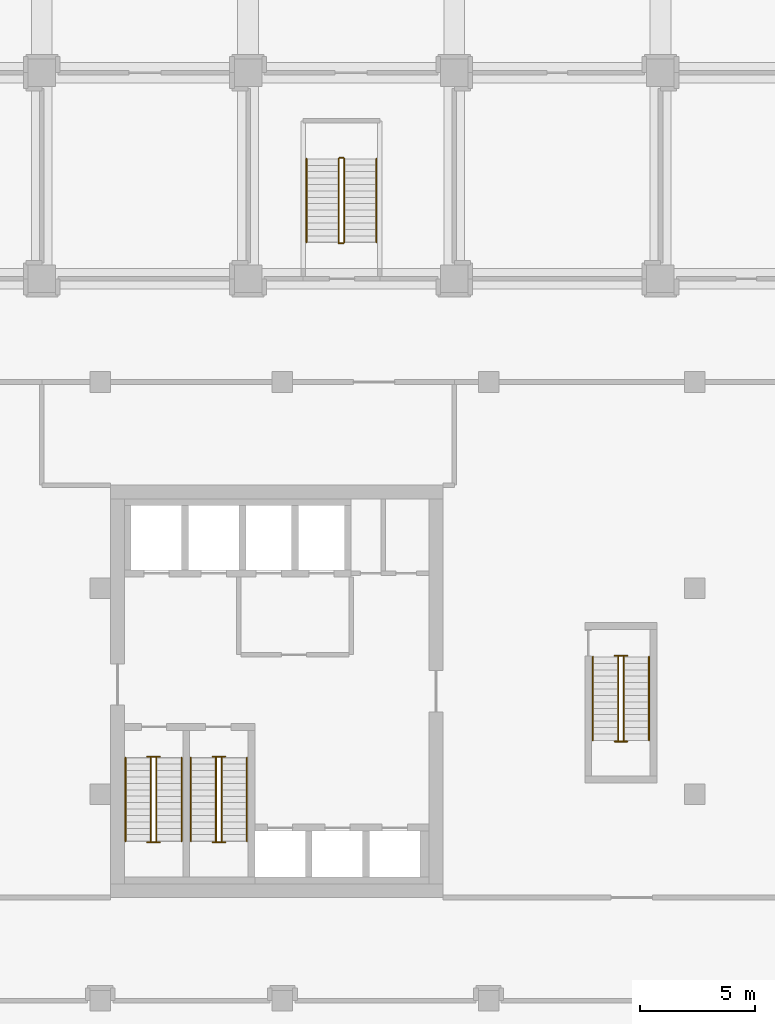
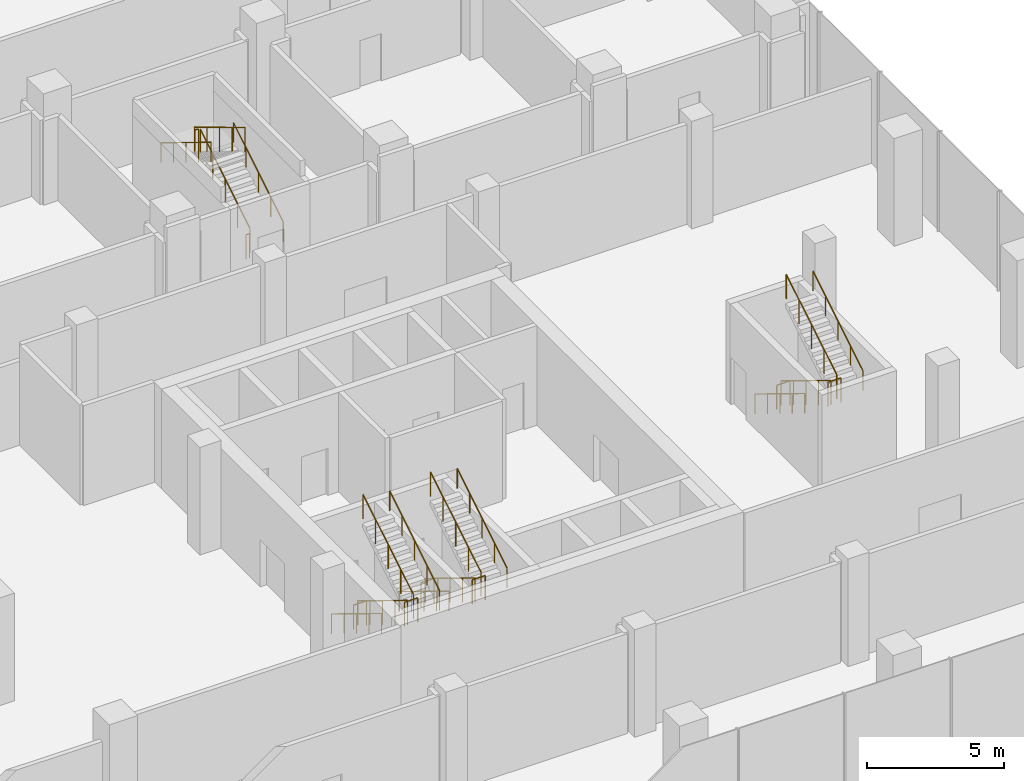
# One storey, part 41 of 42: 24 railings.
"""IFC4 building model written with IfcOpenShell, lengths in metres."""

from ifc_helpers import new_model, si_unit, direction, frame, origin, origin_2d, place, context, subcontext, project, spatial, circle, extrude, material, type_object, element, save


model = new_model("IFC4")

# Units and contexts
model_context = context("Model", 3, precision=1e-05, world=origin(), true_north=direction((0.0, 1.0)))
body_context = subcontext(model_context, "Body", "Model", "MODEL_VIEW")
ifc_project = project(units=[si_unit("LENGTHUNIT", "METRE"), si_unit("AREAUNIT", "SQUARE_METRE"), si_unit("VOLUMEUNIT", "CUBIC_METRE"), si_unit("PLANEANGLEUNIT", "RADIAN"), si_unit("MASSUNIT", "GRAM", prefix="KILO")], contexts=[model_context])

# Site, building, storey
site_placement = place(None, origin())
site = spatial("IfcSite", under=ifc_project, at=site_placement, CompositionType="ELEMENT")
building_placement = place(site_placement, origin())
building = spatial("IfcBuilding", under=site, at=building_placement, Name="Plateau Cross Towers", CompositionType="ELEMENT")
storey_placement = place(building_placement, frame((0.0, 0.0, 8.0)))
storey = spatial("IfcBuildingStorey", under=building, at=storey_placement, Name="L01", CompositionType="ELEMENT", Elevation=8.0)

# Railings
ifc_material_1 = material(Name="Stainless steel and toughened glass", Category="steel")
railing_type_1 = type_object("IfcRailingType", Name="RL-GUARD-1100", PredefinedType="GUARDRAIL", material=ifc_material_1)
railing_1_placement = place(storey_placement, frame((76.75, 6.10009765625, 0.17138671875)))
element("IfcRailing", 1, at=railing_1_placement, inside=storey, type_object=railing_type_1, Name="L01 SB-1 stair guard 1", PredefinedType="GUARDRAIL", context=body_context, shape_type="SweptSolid", body=[
    extrude(circle(Radius=0.02392578125, at=origin_2d()), frame((0.0, 0.0, 1.076171875), z_axis=(0.0, -0.852865859571, 0.52213008492), x_axis=(1.0, 0.0, 0.0)), (0.0, 0.0, 1.0), 4.26806640625),
    extrude(circle(Radius=0.02099609375, at=origin_2d()), origin(), (0.0, 0.0, 1.0), 1.052001953125),
    extrude(circle(Radius=0.02099609375, at=origin_2d()), frame((0.0, -0.91015625, 0.55712890625)), (0.0, 0.0, 1.0), 1.052001953125),
    extrude(circle(Radius=0.02099609375, at=origin_2d()), frame((0.0, -1.820068359375, 1.1142578125)), (0.0, 0.0, 1.0), 1.052001953125),
    extrude(circle(Radius=0.02099609375, at=origin_2d()), frame((0.0, -2.72998046875, 1.67138671875)), (0.0, 0.0, 1.0), 1.052001953125),
    extrude(circle(Radius=0.02099609375, at=origin_2d()), frame((0.0, -3.64013671875, 2.228515625)), (0.0, 0.0, 1.0), 1.052001953125),
])
railing_2_placement = place(storey_placement, frame((76.60009765625, 2.409912109375, 2.39990234375)))
element("IfcRailing", 2, at=railing_2_placement, inside=storey, type_object=railing_type_1, Name="L01 SB-1 stair guard 2", PredefinedType="GUARDRAIL", context=body_context, shape_type="SweptSolid", body=[
    extrude(circle(Radius=0.02392578125, at=origin_2d()), frame((0.0, 0.0, 1.076171875), z_axis=(1.0, 0.0, 0.0), x_axis=(0.0, 1.0, 0.0)), (0.0, 0.0, 1.0), 0.5498046875),
    extrude(circle(Radius=0.02099609375, at=origin_2d()), origin(), (0.0, 0.0, 1.0), 1.052001953125),
    extrude(circle(Radius=0.02099609375, at=origin_2d()), frame((0.5498046875, 0.0, 0.0)), (0.0, 0.0, 1.0), 1.052001953125),
])
railing_3_placement = place(storey_placement, frame((77.0, 2.4599609375, 2.571533203125)))
element("IfcRailing", 3, at=railing_3_placement, inside=storey, type_object=railing_type_1, Name="L01 SB-1 stair guard 3", PredefinedType="GUARDRAIL", context=body_context, shape_type="SweptSolid", body=[
    extrude(circle(Radius=0.02392578125, at=origin_2d()), frame((0.0, 0.0, 1.076171875), z_axis=(0.0, 0.856000133688, 0.516975600126), x_axis=(-1.0, 0.0, 0.0)), (0.0, 0.0, 1.0), 4.310791015625),
    extrude(circle(Radius=0.02099609375, at=origin_2d()), origin(), (0.0, 0.0, 1.0), 1.052001953125),
    extrude(circle(Radius=0.02099609375, at=origin_2d()), frame((0.0, 0.92236328125, 0.55712890625)), (0.0, 0.0, 1.0), 1.052001953125),
    extrude(circle(Radius=0.02099609375, at=origin_2d()), frame((0.0, 1.844970703125, 1.1142578125)), (0.0, 0.0, 1.0), 1.052001953125),
    extrude(circle(Radius=0.02099609375, at=origin_2d()), frame((0.0, 2.767578125, 1.67138671875)), (0.0, 0.0, 1.0), 1.052001953125),
    extrude(circle(Radius=0.02099609375, at=origin_2d()), frame((0.0, 3.68994140625, 2.228515625)), (0.0, 0.0, 1.0), 1.052001953125),
])
railing_4_placement = place(storey_placement, frame((76.60009765625, 6.14990234375, 0.0)))
element("IfcRailing", 4, at=railing_4_placement, inside=storey, type_object=railing_type_1, Name="L01 SB-1 stair guard 4", PredefinedType="GUARDRAIL", context=body_context, shape_type="SweptSolid", body=[
    extrude(circle(Radius=0.02392578125, at=origin_2d()), frame((0.0, 0.0, 1.076171875), z_axis=(1.0, 0.0, 0.0), x_axis=(0.0, 1.0, 0.0)), (0.0, 0.0, 1.0), 0.5498046875),
    extrude(circle(Radius=0.02099609375, at=origin_2d()), origin(), (0.0, 0.0, 1.0), 1.052001953125),
    extrude(circle(Radius=0.02099609375, at=origin_2d()), frame((0.5498046875, 0.0, 0.0)), (0.0, 0.0, 1.0), 1.052001953125),
])
railing_5_placement = place(storey_placement, frame((79.60009765625, 6.10009765625, 0.17138671875)))
element("IfcRailing", 5, at=railing_5_placement, inside=storey, type_object=railing_type_1, Name="L01 SB-2 stair guard 1", PredefinedType="GUARDRAIL", context=body_context, shape_type="SweptSolid", body=[
    extrude(circle(Radius=0.02392578125, at=origin_2d()), frame((0.0, 0.0, 1.076171875), z_axis=(0.0, -0.852865859571, 0.52213008492), x_axis=(1.0, 0.0, 0.0)), (0.0, 0.0, 1.0), 4.26806640625),
    extrude(circle(Radius=0.02099609375, at=origin_2d()), origin(), (0.0, 0.0, 1.0), 1.052001953125),
    extrude(circle(Radius=0.02099609375, at=origin_2d()), frame((0.0, -0.91015625, 0.55712890625)), (0.0, 0.0, 1.0), 1.052001953125),
    extrude(circle(Radius=0.02099609375, at=origin_2d()), frame((0.0, -1.820068359375, 1.1142578125)), (0.0, 0.0, 1.0), 1.052001953125),
    extrude(circle(Radius=0.02099609375, at=origin_2d()), frame((0.0, -2.72998046875, 1.67138671875)), (0.0, 0.0, 1.0), 1.052001953125),
    extrude(circle(Radius=0.02099609375, at=origin_2d()), frame((0.0, -3.64013671875, 2.228515625)), (0.0, 0.0, 1.0), 1.052001953125),
])
railing_6_placement = place(storey_placement, frame((79.449951171875, 2.409912109375, 2.39990234375)))
element("IfcRailing", 6, at=railing_6_placement, inside=storey, type_object=railing_type_1, Name="L01 SB-2 stair guard 2", PredefinedType="GUARDRAIL", context=body_context, shape_type="SweptSolid", body=[
    extrude(circle(Radius=0.02392578125, at=origin_2d()), frame((0.0, 0.0, 1.076171875), z_axis=(1.0, 0.0, 0.0), x_axis=(0.0, 1.0, 0.0)), (0.0, 0.0, 1.0), 0.550048828125),
    extrude(circle(Radius=0.02099609375, at=origin_2d()), origin(), (0.0, 0.0, 1.0), 1.052001953125),
    extrude(circle(Radius=0.02099609375, at=origin_2d()), frame((0.550048828125, 0.0, 0.0)), (0.0, 0.0, 1.0), 1.052001953125),
])
railing_7_placement = place(storey_placement, frame((79.85009765625, 2.4599609375, 2.571533203125)))
element("IfcRailing", 7, at=railing_7_placement, inside=storey, type_object=railing_type_1, Name="L01 SB-2 stair guard 3", PredefinedType="GUARDRAIL", context=body_context, shape_type="SweptSolid", body=[
    extrude(circle(Radius=0.02392578125, at=origin_2d()), frame((0.0, 0.0, 1.076171875), z_axis=(0.0, 0.856000133688, 0.516975600126), x_axis=(-1.0, 0.0, 0.0)), (0.0, 0.0, 1.0), 4.310791015625),
    extrude(circle(Radius=0.02099609375, at=origin_2d()), origin(), (0.0, 0.0, 1.0), 1.052001953125),
    extrude(circle(Radius=0.02099609375, at=origin_2d()), frame((0.0, 0.92236328125, 0.55712890625)), (0.0, 0.0, 1.0), 1.052001953125),
    extrude(circle(Radius=0.02099609375, at=origin_2d()), frame((0.0, 1.844970703125, 1.1142578125)), (0.0, 0.0, 1.0), 1.052001953125),
    extrude(circle(Radius=0.02099609375, at=origin_2d()), frame((0.0, 2.767578125, 1.67138671875)), (0.0, 0.0, 1.0), 1.052001953125),
    extrude(circle(Radius=0.02099609375, at=origin_2d()), frame((0.0, 3.68994140625, 2.228515625)), (0.0, 0.0, 1.0), 1.052001953125),
])
railing_8_placement = place(storey_placement, frame((79.449951171875, 6.14990234375, 0.0)))
element("IfcRailing", 8, at=railing_8_placement, inside=storey, type_object=railing_type_1, Name="L01 SB-2 stair guard 4", PredefinedType="GUARDRAIL", context=body_context, shape_type="SweptSolid", body=[
    extrude(circle(Radius=0.02392578125, at=origin_2d()), frame((0.0, 0.0, 1.076171875), z_axis=(1.0, 0.0, 0.0), x_axis=(0.0, 1.0, 0.0)), (0.0, 0.0, 1.0), 0.550048828125),
    extrude(circle(Radius=0.02099609375, at=origin_2d()), origin(), (0.0, 0.0, 1.0), 1.052001953125),
    extrude(circle(Radius=0.02099609375, at=origin_2d()), frame((0.550048828125, 0.0, 0.0)), (0.0, 0.0, 1.0), 1.052001953125),
])
railing_9_placement = place(storey_placement, frame((97.14990234375, 10.5, 0.17138671875)))
element("IfcRailing", 9, at=railing_9_placement, inside=storey, type_object=railing_type_1, Name="L01 SB-3 stair guard 1", PredefinedType="GUARDRAIL", context=body_context, shape_type="SweptSolid", body=[
    extrude(circle(Radius=0.02392578125, at=origin_2d()), frame((0.0, 0.0, 1.076171875), z_axis=(0.0, -0.852850264322, 0.5221555579), x_axis=(1.0, 0.0, 0.0)), (0.0, 0.0, 1.0), 4.267822265625),
    extrude(circle(Radius=0.02099609375, at=origin_2d()), origin(), (0.0, 0.0, 1.0), 1.052001953125),
    extrude(circle(Radius=0.02099609375, at=origin_2d()), frame((0.0, -0.909912109375, 0.55712890625)), (0.0, 0.0, 1.0), 1.052001953125),
    extrude(circle(Radius=0.02099609375, at=origin_2d()), frame((0.0, -1.81982421875, 1.1142578125)), (0.0, 0.0, 1.0), 1.052001953125),
    extrude(circle(Radius=0.02099609375, at=origin_2d()), frame((0.0, -2.72998046875, 1.67138671875)), (0.0, 0.0, 1.0), 1.052001953125),
    extrude(circle(Radius=0.02099609375, at=origin_2d()), frame((0.0, -3.639892578125, 2.228515625)), (0.0, 0.0, 1.0), 1.052001953125),
])
railing_10_placement = place(storey_placement, frame((97.0, 6.81005859375, 2.39990234375)))
element("IfcRailing", 10, at=railing_10_placement, inside=storey, type_object=railing_type_1, Name="L01 SB-3 stair guard 2", PredefinedType="GUARDRAIL", context=body_context, shape_type="SweptSolid", body=[
    extrude(circle(Radius=0.02392578125, at=origin_2d()), frame((0.0, 0.0, 1.076171875), z_axis=(1.0, 0.0, 0.0), x_axis=(0.0, 1.0, 0.0)), (0.0, 0.0, 1.0), 0.550048828125),
    extrude(circle(Radius=0.02099609375, at=origin_2d()), origin(), (0.0, 0.0, 1.0), 1.052001953125),
    extrude(circle(Radius=0.02099609375, at=origin_2d()), frame((0.550048828125, 0.0, 0.0)), (0.0, 0.0, 1.0), 1.052001953125),
])
railing_11_placement = place(storey_placement, frame((97.39990234375, 6.860107421875, 2.571533203125)))
element("IfcRailing", 11, at=railing_11_placement, inside=storey, type_object=railing_type_1, Name="L01 SB-3 stair guard 3", PredefinedType="GUARDRAIL", context=body_context, shape_type="SweptSolid", body=[
    extrude(circle(Radius=0.02392578125, at=origin_2d()), frame((0.0, 0.0, 1.076171875), z_axis=(0.0, 0.856000133688, 0.516975600126), x_axis=(-1.0, 0.0, 0.0)), (0.0, 0.0, 1.0), 4.310791015625),
    extrude(circle(Radius=0.02099609375, at=origin_2d()), origin(), (0.0, 0.0, 1.0), 1.052001953125),
    extrude(circle(Radius=0.02099609375, at=origin_2d()), frame((0.0, 0.92236328125, 0.55712890625)), (0.0, 0.0, 1.0), 1.052001953125),
    extrude(circle(Radius=0.02099609375, at=origin_2d()), frame((0.0, 1.844970703125, 1.1142578125)), (0.0, 0.0, 1.0), 1.052001953125),
    extrude(circle(Radius=0.02099609375, at=origin_2d()), frame((0.0, 2.767578125, 1.67138671875)), (0.0, 0.0, 1.0), 1.052001953125),
    extrude(circle(Radius=0.02099609375, at=origin_2d()), frame((0.0, 3.68994140625, 2.228515625)), (0.0, 0.0, 1.0), 1.052001953125),
])
railing_12_placement = place(storey_placement, frame((97.0, 10.550048828125, 0.0)))
element("IfcRailing", 12, at=railing_12_placement, inside=storey, type_object=railing_type_1, Name="L01 SB-3 stair guard 4", PredefinedType="GUARDRAIL", context=body_context, shape_type="SweptSolid", body=[
    extrude(circle(Radius=0.02392578125, at=origin_2d()), frame((0.0, 0.0, 1.076171875), z_axis=(1.0, 0.0, 0.0), x_axis=(0.0, 1.0, 0.0)), (0.0, 0.0, 1.0), 0.550048828125),
    extrude(circle(Radius=0.02099609375, at=origin_2d()), origin(), (0.0, 0.0, 1.0), 1.052001953125),
    extrude(circle(Radius=0.02099609375, at=origin_2d()), frame((0.550048828125, 0.0, 0.0)), (0.0, 0.0, 1.0), 1.052001953125),
])
railing_13_placement = place(storey_placement, frame((85.199951171875, 28.60009765625, 0.17138671875)))
element("IfcRailing", 13, at=railing_13_placement, inside=storey, type_object=railing_type_1, Name="L01 PS5 stair guard 1", PredefinedType="GUARDRAIL", context=body_context, shape_type="SweptSolid", body=[
    extrude(circle(Radius=0.02392578125, at=origin_2d()), frame((0.0, 0.0, 1.076171875), z_axis=(0.0, 0.852850264322, 0.5221555579), x_axis=(-1.0, 0.0, 0.0)), (0.0, 0.0, 1.0), 4.267822265625),
    extrude(circle(Radius=0.02099609375, at=origin_2d()), origin(), (0.0, 0.0, 1.0), 1.052001953125),
    extrude(circle(Radius=0.02099609375, at=origin_2d()), frame((0.0, 0.909912109375, 0.55712890625)), (0.0, 0.0, 1.0), 1.052001953125),
    extrude(circle(Radius=0.02099609375, at=origin_2d()), frame((0.0, 1.81982421875, 1.1142578125)), (0.0, 0.0, 1.0), 1.052001953125),
    extrude(circle(Radius=0.02099609375, at=origin_2d()), frame((0.0, 2.72998046875, 1.67138671875)), (0.0, 0.0, 1.0), 1.052001953125),
    extrude(circle(Radius=0.02099609375, at=origin_2d()), frame((0.0, 3.639892578125, 2.228515625)), (0.0, 0.0, 1.0), 1.052001953125),
])
railing_14_placement = place(storey_placement, frame((85.14990234375, 32.2900390625, 2.39990234375)))
element("IfcRailing", 14, at=railing_14_placement, inside=storey, type_object=railing_type_1, Name="L01 PS5 stair guard 2", PredefinedType="GUARDRAIL", context=body_context, shape_type="SweptSolid", body=[
    extrude(circle(Radius=0.02392578125, at=origin_2d()), frame((0.0, 0.0, 1.076171875), z_axis=(-1.0, 0.0, 0.0), x_axis=(0.0, -1.0, 0.0)), (0.0, 0.0, 1.0), 0.14990234375),
    extrude(circle(Radius=0.02099609375, at=origin_2d()), origin(), (0.0, 0.0, 1.0), 1.052001953125),
    extrude(circle(Radius=0.02099609375, at=origin_2d()), frame((-0.14990234375, 0.0, 0.0)), (0.0, 0.0, 1.0), 1.052001953125),
])
railing_15_placement = place(storey_placement, frame((84.949951171875, 32.239990234375, 2.571533203125)))
element("IfcRailing", 15, at=railing_15_placement, inside=storey, type_object=railing_type_1, Name="L01 PS5 stair guard 3", PredefinedType="GUARDRAIL", context=body_context, shape_type="SweptSolid", body=[
    extrude(circle(Radius=0.02392578125, at=origin_2d()), frame((0.0, 0.0, 1.076171875), z_axis=(0.0, -0.856000133688, 0.516975600126), x_axis=(1.0, 0.0, 0.0)), (0.0, 0.0, 1.0), 4.310791015625),
    extrude(circle(Radius=0.02099609375, at=origin_2d()), origin(), (0.0, 0.0, 1.0), 1.052001953125),
    extrude(circle(Radius=0.02099609375, at=origin_2d()), frame((0.0, -0.92236328125, 0.55712890625)), (0.0, 0.0, 1.0), 1.052001953125),
    extrude(circle(Radius=0.02099609375, at=origin_2d()), frame((0.0, -1.844970703125, 1.1142578125)), (0.0, 0.0, 1.0), 1.052001953125),
    extrude(circle(Radius=0.02099609375, at=origin_2d()), frame((0.0, -2.767578125, 1.67138671875)), (0.0, 0.0, 1.0), 1.052001953125),
    extrude(circle(Radius=0.02099609375, at=origin_2d()), frame((0.0, -3.68994140625, 2.228515625)), (0.0, 0.0, 1.0), 1.052001953125),
])
railing_16_placement = place(storey_placement, frame((85.14990234375, 28.550048828125, 0.0)))
element("IfcRailing", 16, at=railing_16_placement, inside=storey, type_object=railing_type_1, Name="L01 PS5 stair guard 4", PredefinedType="GUARDRAIL", context=body_context, shape_type="SweptSolid", body=[
    extrude(circle(Radius=0.02392578125, at=origin_2d()), frame((0.0, 0.0, 1.076171875), z_axis=(-1.0, 0.0, 0.0), x_axis=(0.0, -1.0, 0.0)), (0.0, 0.0, 1.0), 0.14990234375),
    extrude(circle(Radius=0.02099609375, at=origin_2d()), origin(), (0.0, 0.0, 1.0), 1.052001953125),
    extrude(circle(Radius=0.02099609375, at=origin_2d()), frame((-0.14990234375, 0.0, 0.0)), (0.0, 0.0, 1.0), 1.052001953125),
])
ifc_material_2 = material(Name="Black anodised aluminium", Category="aluminium")
railing_type_2 = type_object("IfcRailingType", Name="RL-HANDRAIL-900", PredefinedType="HANDRAIL", material=ifc_material_2)
railing_17_placement = place(storey_placement, frame((75.64990234375, 6.10009765625, 0.17138671875)))
element("IfcRailing", 17, at=railing_17_placement, inside=storey, type_object=railing_type_2, Name="L01 SB-1 stair handrail 1", PredefinedType="HANDRAIL", context=body_context, shape_type="SweptSolid", body=[
    extrude(circle(Radius=0.02392578125, at=origin_2d()), frame((0.0, 0.0, 0.8759765625), z_axis=(0.0, -0.852865859571, 0.52213008492), x_axis=(1.0, 0.0, 0.0)), (0.0, 0.0, 1.0), 4.26806640625),
    extrude(circle(Radius=0.02099609375, at=origin_2d()), origin(), (0.0, 0.0, 1.0), 0.851806640625),
    extrude(circle(Radius=0.02099609375, at=origin_2d()), frame((0.0, -0.91015625, 0.55712890625)), (0.0, 0.0, 1.0), 0.851806640625),
    extrude(circle(Radius=0.02099609375, at=origin_2d()), frame((0.0, -1.820068359375, 1.1142578125)), (0.0, 0.0, 1.0), 0.851806640625),
    extrude(circle(Radius=0.02099609375, at=origin_2d()), frame((0.0, -2.72998046875, 1.67138671875)), (0.0, 0.0, 1.0), 0.851806640625),
    extrude(circle(Radius=0.02099609375, at=origin_2d()), frame((0.0, -3.64013671875, 2.228515625)), (0.0, 0.0, 1.0), 0.851806640625),
])
railing_18_placement = place(storey_placement, frame((78.10009765625, 2.4599609375, 2.571533203125)))
element("IfcRailing", 18, at=railing_18_placement, inside=storey, type_object=railing_type_2, Name="L01 SB-1 stair handrail 2", PredefinedType="HANDRAIL", context=body_context, shape_type="SweptSolid", body=[
    extrude(circle(Radius=0.02392578125, at=origin_2d()), frame((0.0, 0.0, 0.8759765625), z_axis=(0.0, 0.852865859571, 0.52213008492), x_axis=(-1.0, 0.0, 0.0)), (0.0, 0.0, 1.0), 4.26806640625),
    extrude(circle(Radius=0.02099609375, at=origin_2d()), origin(), (0.0, 0.0, 1.0), 0.851806640625),
    extrude(circle(Radius=0.02099609375, at=origin_2d()), frame((0.0, 0.91015625, 0.55712890625)), (0.0, 0.0, 1.0), 0.851806640625),
    extrude(circle(Radius=0.02099609375, at=origin_2d()), frame((0.0, 1.820068359375, 1.1142578125)), (0.0, 0.0, 1.0), 0.851806640625),
    extrude(circle(Radius=0.02099609375, at=origin_2d()), frame((0.0, 2.72998046875, 1.67138671875)), (0.0, 0.0, 1.0), 0.851806640625),
    extrude(circle(Radius=0.02099609375, at=origin_2d()), frame((0.0, 3.64013671875, 2.228515625)), (0.0, 0.0, 1.0), 0.851806640625),
])
railing_19_placement = place(storey_placement, frame((78.5, 6.10009765625, 0.17138671875)))
element("IfcRailing", 19, at=railing_19_placement, inside=storey, type_object=railing_type_2, Name="L01 SB-2 stair handrail 1", PredefinedType="HANDRAIL", context=body_context, shape_type="SweptSolid", body=[
    extrude(circle(Radius=0.02392578125, at=origin_2d()), frame((0.0, 0.0, 0.8759765625), z_axis=(0.0, -0.852865859571, 0.52213008492), x_axis=(1.0, 0.0, 0.0)), (0.0, 0.0, 1.0), 4.26806640625),
    extrude(circle(Radius=0.02099609375, at=origin_2d()), origin(), (0.0, 0.0, 1.0), 0.851806640625),
    extrude(circle(Radius=0.02099609375, at=origin_2d()), frame((0.0, -0.91015625, 0.55712890625)), (0.0, 0.0, 1.0), 0.851806640625),
    extrude(circle(Radius=0.02099609375, at=origin_2d()), frame((0.0, -1.820068359375, 1.1142578125)), (0.0, 0.0, 1.0), 0.851806640625),
    extrude(circle(Radius=0.02099609375, at=origin_2d()), frame((0.0, -2.72998046875, 1.67138671875)), (0.0, 0.0, 1.0), 0.851806640625),
    extrude(circle(Radius=0.02099609375, at=origin_2d()), frame((0.0, -3.64013671875, 2.228515625)), (0.0, 0.0, 1.0), 0.851806640625),
])
railing_20_placement = place(storey_placement, frame((80.949951171875, 2.4599609375, 2.571533203125)))
element("IfcRailing", 20, at=railing_20_placement, inside=storey, type_object=railing_type_2, Name="L01 SB-2 stair handrail 2", PredefinedType="HANDRAIL", context=body_context, shape_type="SweptSolid", body=[
    extrude(circle(Radius=0.02392578125, at=origin_2d()), frame((0.0, 0.0, 0.8759765625), z_axis=(0.0, 0.852865859571, 0.52213008492), x_axis=(-1.0, 0.0, 0.0)), (0.0, 0.0, 1.0), 4.26806640625),
    extrude(circle(Radius=0.02099609375, at=origin_2d()), origin(), (0.0, 0.0, 1.0), 0.851806640625),
    extrude(circle(Radius=0.02099609375, at=origin_2d()), frame((0.0, 0.91015625, 0.55712890625)), (0.0, 0.0, 1.0), 0.851806640625),
    extrude(circle(Radius=0.02099609375, at=origin_2d()), frame((0.0, 1.820068359375, 1.1142578125)), (0.0, 0.0, 1.0), 0.851806640625),
    extrude(circle(Radius=0.02099609375, at=origin_2d()), frame((0.0, 2.72998046875, 1.67138671875)), (0.0, 0.0, 1.0), 0.851806640625),
    extrude(circle(Radius=0.02099609375, at=origin_2d()), frame((0.0, 3.64013671875, 2.228515625)), (0.0, 0.0, 1.0), 0.851806640625),
])
railing_21_placement = place(storey_placement, frame((96.050048828125, 10.5, 0.17138671875)))
element("IfcRailing", 21, at=railing_21_placement, inside=storey, type_object=railing_type_2, Name="L01 SB-3 stair handrail 1", PredefinedType="HANDRAIL", context=body_context, shape_type="SweptSolid", body=[
    extrude(circle(Radius=0.02392578125, at=origin_2d()), frame((0.0, 0.0, 0.8759765625), z_axis=(0.0, -0.852850264322, 0.5221555579), x_axis=(1.0, 0.0, 0.0)), (0.0, 0.0, 1.0), 4.267822265625),
    extrude(circle(Radius=0.02099609375, at=origin_2d()), origin(), (0.0, 0.0, 1.0), 0.851806640625),
    extrude(circle(Radius=0.02099609375, at=origin_2d()), frame((0.0, -0.909912109375, 0.55712890625)), (0.0, 0.0, 1.0), 0.851806640625),
    extrude(circle(Radius=0.02099609375, at=origin_2d()), frame((0.0, -1.81982421875, 1.1142578125)), (0.0, 0.0, 1.0), 0.851806640625),
    extrude(circle(Radius=0.02099609375, at=origin_2d()), frame((0.0, -2.72998046875, 1.67138671875)), (0.0, 0.0, 1.0), 0.851806640625),
    extrude(circle(Radius=0.02099609375, at=origin_2d()), frame((0.0, -3.639892578125, 2.228515625)), (0.0, 0.0, 1.0), 0.851806640625),
])
for number, where, name in (
    (22, (98.5, 6.860107421875, 2.571533203125), "L01 SB-3 stair handrail 2"),
    (23, (86.60009765625, 28.60009765625, 0.17138671875), "L01 PS5 stair handrail 1"),
):
    element("IfcRailing", number, at=place(storey_placement, frame(where)), inside=storey, type_object=railing_type_2, Name=name, PredefinedType="HANDRAIL", context=body_context, shape_type="SweptSolid", body=[
        extrude(circle(Radius=0.02392578125, at=origin_2d()), frame((0.0, 0.0, 0.8759765625), z_axis=(0.0, 0.852850264322, 0.5221555579), x_axis=(-1.0, 0.0, 0.0)), (0.0, 0.0, 1.0), 4.267822265625),
        extrude(circle(Radius=0.02099609375, at=origin_2d()), origin(), (0.0, 0.0, 1.0), 0.851806640625),
        extrude(circle(Radius=0.02099609375, at=origin_2d()), frame((0.0, 0.909912109375, 0.55712890625)), (0.0, 0.0, 1.0), 0.851806640625),
        extrude(circle(Radius=0.02099609375, at=origin_2d()), frame((0.0, 1.81982421875, 1.1142578125)), (0.0, 0.0, 1.0), 0.851806640625),
        extrude(circle(Radius=0.02099609375, at=origin_2d()), frame((0.0, 2.72998046875, 1.67138671875)), (0.0, 0.0, 1.0), 0.851806640625),
        extrude(circle(Radius=0.02099609375, at=origin_2d()), frame((0.0, 3.639892578125, 2.228515625)), (0.0, 0.0, 1.0), 0.851806640625),
    ])
railing_22_placement = place(storey_placement, frame((83.550048828125, 32.239990234375, 2.571533203125)))
element("IfcRailing", 24, at=railing_22_placement, inside=storey, type_object=railing_type_2, Name="L01 PS5 stair handrail 2", PredefinedType="HANDRAIL", context=body_context, shape_type="SweptSolid", body=[
    extrude(circle(Radius=0.02392578125, at=origin_2d()), frame((0.0, 0.0, 0.8759765625), z_axis=(0.0, -0.852850264322, 0.5221555579), x_axis=(1.0, 0.0, 0.0)), (0.0, 0.0, 1.0), 4.267822265625),
    extrude(circle(Radius=0.02099609375, at=origin_2d()), origin(), (0.0, 0.0, 1.0), 0.851806640625),
    extrude(circle(Radius=0.02099609375, at=origin_2d()), frame((0.0, -0.909912109375, 0.55712890625)), (0.0, 0.0, 1.0), 0.851806640625),
    extrude(circle(Radius=0.02099609375, at=origin_2d()), frame((0.0, -1.81982421875, 1.1142578125)), (0.0, 0.0, 1.0), 0.851806640625),
    extrude(circle(Radius=0.02099609375, at=origin_2d()), frame((0.0, -2.72998046875, 1.67138671875)), (0.0, 0.0, 1.0), 0.851806640625),
    extrude(circle(Radius=0.02099609375, at=origin_2d()), frame((0.0, -3.639892578125, 2.228515625)), (0.0, 0.0, 1.0), 0.851806640625),
])

save(model, "model.ifc")
